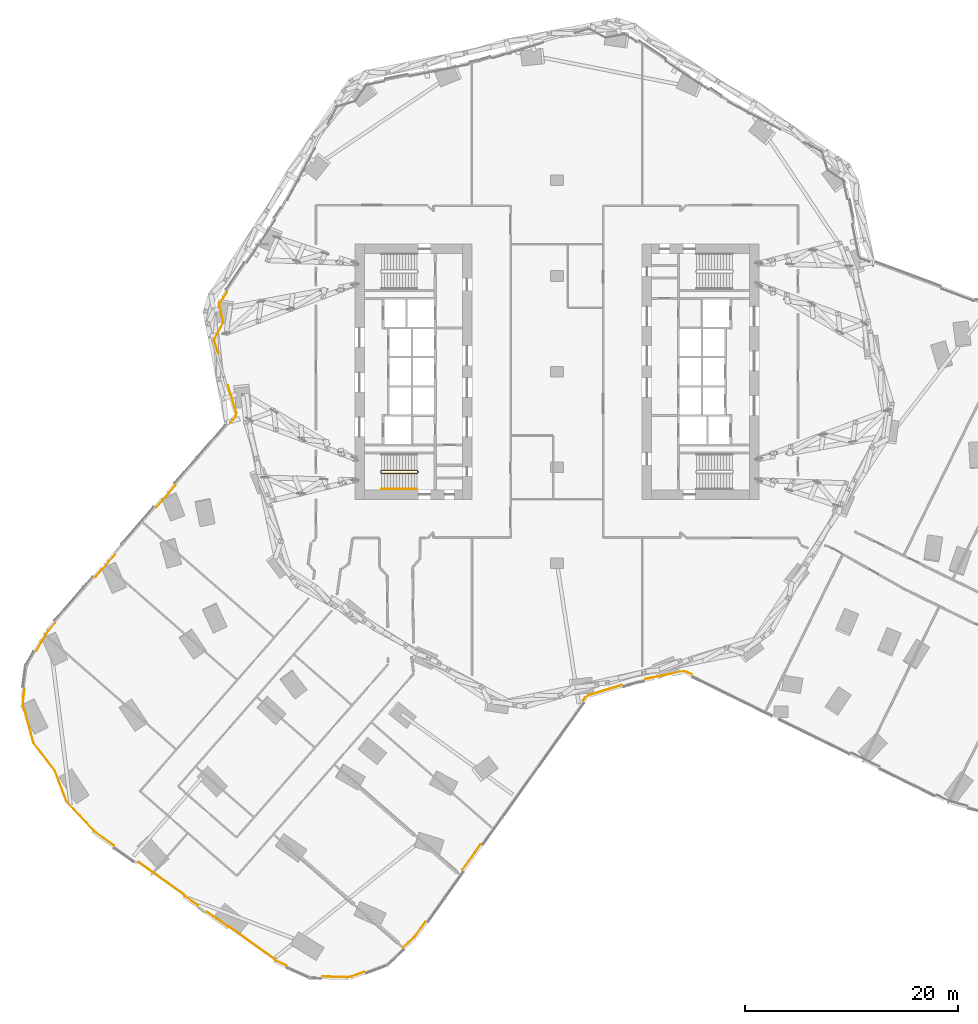
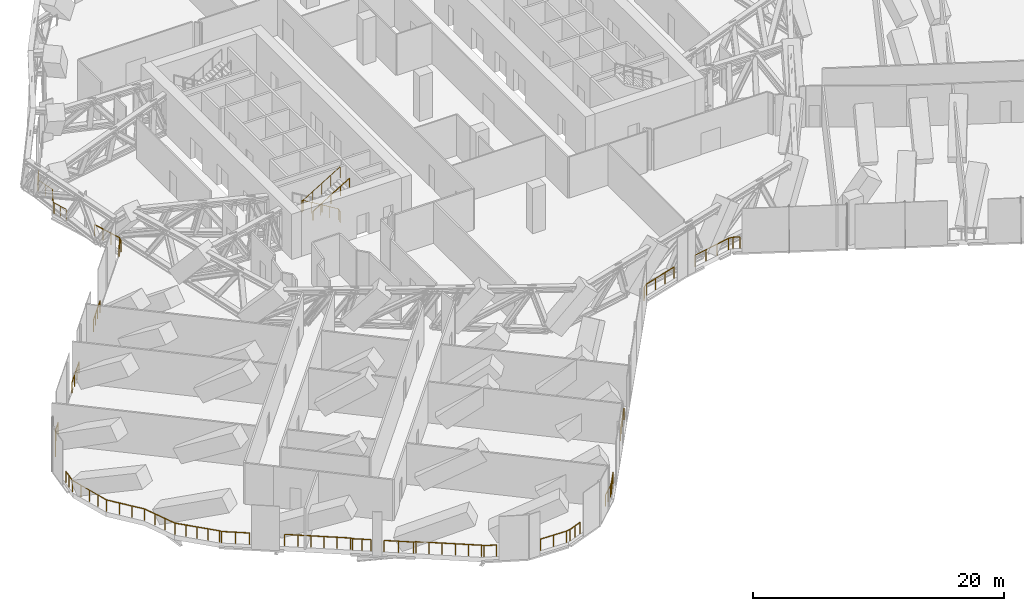
# One storey, part 32 of 34: 17 railings.
"""IFC4 building model written with IfcOpenShell, lengths in metres."""

from ifc_helpers import new_model, si_unit, direction, frame, origin, origin_2d, place, context, subcontext, project, spatial, circle, extrude, material, type_object, element, save


model = new_model("IFC4")

# Units and contexts
model_context = context("Model", 3, precision=1e-05, world=origin(), true_north=direction((0.0, 1.0)))
body_context = subcontext(model_context, "Body", "Model", "MODEL_VIEW")
ifc_project = project(units=[si_unit("LENGTHUNIT", "METRE"), si_unit("AREAUNIT", "SQUARE_METRE"), si_unit("VOLUMEUNIT", "CUBIC_METRE"), si_unit("PLANEANGLEUNIT", "RADIAN"), si_unit("MASSUNIT", "GRAM", prefix="KILO")], contexts=[model_context])

# Site, building, storey
site_placement = place(None, origin())
site = spatial("IfcSite", under=ifc_project, at=site_placement, CompositionType="ELEMENT")
building_placement = place(site_placement, origin())
building = spatial("IfcBuilding", under=site, at=building_placement, Name="Orlundy Tower", CompositionType="ELEMENT")
storey_placement = place(building_placement, frame((0.0, 0.0, 76.300048828125)))
storey = spatial("IfcBuildingStorey", under=building, at=storey_placement, Name="L18", CompositionType="ELEMENT", Elevation=76.300048828125)

# Railings
ifc_material_1 = material(Name="Steel balustrade", Category="steel")
railing_type_1 = type_object("IfcRailingType", Name="Stair Guard 1100", PredefinedType="GUARDRAIL", material=ifc_material_1)
railing_1_placement = place(storey_placement, frame((-13.090087890625, -9.35009765625, 0.0)))
element("IfcRailing", 1, at=railing_1_placement, inside=storey, type_object=railing_type_1, Name="L18 ST-W2 stair guard 1", PredefinedType="GUARDRAIL", context=body_context, shape_type="SweptSolid", body=[
    extrude(circle(Radius=0.02392578125, at=origin_2d()), frame((0.0, 0.0, 1.076171875), z_axis=(0.0, -1.0, 0.0), x_axis=(1.0, 0.0, 0.0)), (0.0, 0.0, 1.0), 0.14990234375),
    extrude(circle(Radius=0.02392578125, at=origin_2d()), frame((0.0, -0.14990234375, 1.076171875), z_axis=(-0.186800498525, 0.749949060256, 0.634572281755), x_axis=(-0.970351222016, -0.241699205484, 0.0)), (0.0, 0.0, 1.0), 0.2666015625),
    extrude(circle(Radius=0.02392578125, at=origin_2d()), frame((-0.0498046875, 0.050048828125, 1.2451171875), z_axis=(-0.855836976705, 0.0, 0.517245656632), x_axis=(0.0, -1.0, 0.0)), (0.0, 0.0, 1.0), 3.926025390625),
    extrude(circle(Radius=0.02392578125, at=origin_2d()), frame((-3.409912109375, 0.050048828125, 3.27587890625), z_axis=(-0.707106781187, -0.707106781187, 0.0), x_axis=(0.707106781187, -0.707106781187, 0.0)), (0.0, 0.0, 1.0), 0.07080078125),
    extrude(circle(Radius=0.02392578125, at=origin_2d()), frame((-3.4599609375, 0.0, 3.27587890625), z_axis=(0.0, -1.0, 0.0), x_axis=(1.0, 0.0, 0.0)), (0.0, 0.0, 1.0), 0.14990234375),
    extrude(circle(Radius=0.02392578125, at=origin_2d()), frame((-3.4599609375, -0.14990234375, 3.27587890625), z_axis=(0.272897288611, -0.272897288611, 0.922525956132), x_axis=(0.707106781187, 0.707106781187, 0.0)), (0.0, 0.0, 1.0), 0.183349609375),
    extrude(circle(Radius=0.02392578125, at=origin_2d()), frame((-3.409912109375, -0.199951171875, 3.4453125), z_axis=(0.855836976705, 0.0, 0.517245656632), x_axis=(0.0, 1.0, 0.0)), (0.0, 0.0, 1.0), 3.926025390625),
    extrude(circle(Radius=0.02099609375, at=origin_2d()), origin(), (0.0, 0.0, 1.0), 1.052001953125),
    extrude(circle(Radius=0.02099609375, at=origin_2d()), frame((0.0, -0.14990234375, 0.0)), (0.0, 0.0, 1.0), 1.052001953125),
    extrude(circle(Radius=0.02099609375, at=origin_2d()), frame((-0.0498046875, 0.050048828125, 0.169189453125)), (0.0, 0.0, 1.0), 1.052001953125),
    extrude(circle(Radius=0.02099609375, at=origin_2d()), frame((-0.889892578125, 0.050048828125, 0.6767578125)), (0.0, 0.0, 1.0), 1.052001953125),
    extrude(circle(Radius=0.02099609375, at=origin_2d()), frame((-1.72998046875, 0.050048828125, 1.1845703125)), (0.0, 0.0, 1.0), 1.052001953125),
    extrude(circle(Radius=0.02099609375, at=origin_2d()), frame((-2.56982421875, 0.050048828125, 1.6923828125)), (0.0, 0.0, 1.0), 1.052001953125),
    extrude(circle(Radius=0.02099609375, at=origin_2d()), frame((-3.409912109375, 0.050048828125, 2.199951171875)), (0.0, 0.0, 1.0), 1.052001953125),
    extrude(circle(Radius=0.02099609375, at=origin_2d()), frame((-3.4599609375, 0.0, 2.199951171875)), (0.0, 0.0, 1.0), 1.052001953125),
    extrude(circle(Radius=0.02099609375, at=origin_2d()), frame((-3.4599609375, -0.14990234375, 2.199951171875)), (0.0, 0.0, 1.0), 1.052001953125),
    extrude(circle(Radius=0.02099609375, at=origin_2d()), frame((-3.409912109375, -0.199951171875, 2.369140625)), (0.0, 0.0, 1.0), 1.052001953125),
    extrude(circle(Radius=0.02099609375, at=origin_2d()), frame((-2.56982421875, -0.199951171875, 2.876953125)), (0.0, 0.0, 1.0), 1.052001953125),
    extrude(circle(Radius=0.02099609375, at=origin_2d()), frame((-1.72998046875, -0.199951171875, 3.384521484375)), (0.0, 0.0, 1.0), 1.052001953125),
    extrude(circle(Radius=0.02099609375, at=origin_2d()), frame((-0.889892578125, -0.199951171875, 3.89208984375)), (0.0, 0.0, 1.0), 1.052001953125),
    extrude(circle(Radius=0.02099609375, at=origin_2d()), frame((-0.0498046875, -0.199951171875, 4.39990234375)), (0.0, 0.0, 1.0), 1.052001953125),
])
ifc_material_2 = material(Name="Steel handrail", Category="steel")
railing_type_2 = type_object("IfcRailingType", Name="Stair Handrail 900", PredefinedType="HANDRAIL", material=ifc_material_2)
railing_2_placement = place(storey_placement, frame((-16.5, -11.050048828125, 2.369140625)))
element("IfcRailing", 2, at=railing_2_placement, inside=storey, type_object=railing_type_2, Name="L18 ST-W2 stair handrail 2", PredefinedType="HANDRAIL", context=body_context, shape_type="SweptSolid", body=[
    extrude(circle(Radius=0.02392578125, at=origin_2d()), frame((0.0, 0.0, 0.8759765625), z_axis=(0.855836976705, 0.0, 0.517245656632), x_axis=(0.0, 1.0, 0.0)), (0.0, 0.0, 1.0), 3.926025390625),
    extrude(circle(Radius=0.02099609375, at=origin_2d()), origin(), (0.0, 0.0, 1.0), 0.851806640625),
    extrude(circle(Radius=0.02099609375, at=origin_2d()), frame((0.840087890625, 0.0, 0.5078125)), (0.0, 0.0, 1.0), 0.851806640625),
    extrude(circle(Radius=0.02099609375, at=origin_2d()), frame((1.68017578125, 0.0, 1.015380859375)), (0.0, 0.0, 1.0), 0.851806640625),
    extrude(circle(Radius=0.02099609375, at=origin_2d()), frame((2.52001953125, 0.0, 1.52294921875)), (0.0, 0.0, 1.0), 0.851806640625),
    extrude(circle(Radius=0.02099609375, at=origin_2d()), frame((3.360107421875, 0.0, 2.03076171875)), (0.0, 0.0, 1.0), 0.851806640625),
])
ifc_material_3 = material(Name="Stainless steel bronze finish", Category="steel")
railing_type_3 = type_object("IfcRailingType", Name="TG1 terrace guard", PredefinedType="GUARDRAIL", material=ifc_material_3)
railing_3_placement = place(storey_placement, frame((-25.4501953125, -55.818115234375, 0.0)))
element("IfcRailing", 3, at=railing_3_placement, inside=storey, type_object=railing_type_3, Name="Guard TG-L18-E00", PredefinedType="GUARDRAIL", context=body_context, shape_type="SweptSolid", body=[
    extrude(circle(Radius=0.02490234375, at=origin_2d()), frame((0.0, 0.0, 1.09521484375), z_axis=(-0.911698671009, 0.410859505525, 0.0), x_axis=(-0.410859505525, -0.911698671009, 0.0)), (0.0, 0.0, 1.0), 1.025634765625),
    extrude(circle(Radius=0.02490234375, at=origin_2d()), frame((-0.93505859375, 0.42138671875, 1.09521484375), z_axis=(-0.669454009791, 0.742853504249, 0.0), x_axis=(-0.742853504249, -0.669454009791, 0.0)), (0.0, 0.0, 1.0), 0.19287109375),
    extrude(circle(Radius=0.02490234375, at=origin_2d()), frame((-1.064208984375, 0.564697265625, 1.09521484375), z_axis=(-0.814129186926, 0.580683792606, 0.0), x_axis=(-0.580683792606, -0.814129186926, 0.0)), (0.0, 0.0, 1.0), 5.25),
    extrude(circle(Radius=0.02490234375, at=origin_2d()), frame((-5.33837890625, 3.61328125, 1.09521484375), z_axis=(-0.971526703603, 0.236930082909, 0.0), x_axis=(-0.236930082909, -0.971526703603, 0.0)), (0.0, 0.0, 1.0), 0.21533203125),
    extrude(circle(Radius=0.02490234375, at=origin_2d()), frame((-5.547607421875, 3.664306640625, 1.09521484375), z_axis=(-0.814178473946, 0.580614685107, 0.0), x_axis=(-0.580614685107, -0.814178473946, 0.0)), (0.0, 0.0, 1.0), 2.334228515625),
    extrude(circle(Radius=0.02001953125, at=origin_2d()), origin(), (0.0, 0.0, 1.0), 1.070068359375),
    extrude(circle(Radius=0.02001953125, at=origin_2d()), frame((-0.93505859375, 0.42138671875, 0.0)), (0.0, 0.0, 1.0), 1.070068359375),
    extrude(circle(Radius=0.02001953125, at=origin_2d()), frame((-1.064208984375, 0.564697265625, 0.0)), (0.0, 0.0, 1.0), 1.070068359375),
    extrude(circle(Radius=0.02001953125, at=origin_2d()), frame((-1.9189453125, 1.17431640625, 0.0)), (0.0, 0.0, 1.0), 1.070068359375),
    extrude(circle(Radius=0.02001953125, at=origin_2d()), frame((-2.77392578125, 1.7841796875, 0.0)), (0.0, 0.0, 1.0), 1.070068359375),
    extrude(circle(Radius=0.02001953125, at=origin_2d()), frame((-3.628662109375, 2.393798828125, 0.0)), (0.0, 0.0, 1.0), 1.070068359375),
    extrude(circle(Radius=0.02001953125, at=origin_2d()), frame((-4.483642578125, 3.003662109375, 0.0)), (0.0, 0.0, 1.0), 1.070068359375),
    extrude(circle(Radius=0.02001953125, at=origin_2d()), frame((-5.33837890625, 3.61328125, 0.0)), (0.0, 0.0, 1.0), 1.070068359375),
    extrude(circle(Radius=0.02001953125, at=origin_2d()), frame((-5.547607421875, 3.664306640625, 0.0)), (0.0, 0.0, 1.0), 1.070068359375),
    extrude(circle(Radius=0.02001953125, at=origin_2d()), frame((-6.497802734375, 4.341796875, 0.0)), (0.0, 0.0, 1.0), 1.070068359375),
    extrude(circle(Radius=0.02001953125, at=origin_2d()), frame((-7.447998046875, 5.01953125, 0.0)), (0.0, 0.0, 1.0), 1.070068359375),
])
railing_4_placement = place(storey_placement, frame((-33.76171875, -50.1826171875, 0.0)))
element("IfcRailing", 4, at=railing_4_placement, inside=storey, type_object=railing_type_3, Name="Guard TG-L18-E04", PredefinedType="GUARDRAIL", context=body_context, shape_type="SweptSolid", body=[
    extrude(circle(Radius=0.02490234375, at=origin_2d()), frame((0.0, 0.0, 1.09521484375), z_axis=(-0.814107424555, 0.580714302635, 0.0), x_axis=(-0.580714302635, -0.814107424555, 0.0)), (0.0, 0.0, 1.0), 1.455078125),
    extrude(circle(Radius=0.02490234375, at=origin_2d()), frame((-1.1845703125, 0.844970703125, 1.09521484375), z_axis=(-0.540242307529, 0.841509506277, 0.0), x_axis=(-0.841509506277, -0.540242307529, 0.0)), (0.0, 0.0, 1.0), 0.215576171875),
    extrude(circle(Radius=0.02490234375, at=origin_2d()), frame((-1.301025390625, 1.0263671875, 1.09521484375), z_axis=(-0.814166849744, 0.58063098503, 0.0), x_axis=(-0.58063098503, -0.814166849744, 0.0)), (0.0, 0.0, 1.0), 5.25),
    extrude(circle(Radius=0.02001953125, at=origin_2d()), origin(), (0.0, 0.0, 1.0), 1.070068359375),
    extrude(circle(Radius=0.02001953125, at=origin_2d()), frame((-0.59228515625, 0.42236328125, 0.0)), (0.0, 0.0, 1.0), 1.070068359375),
    extrude(circle(Radius=0.02001953125, at=origin_2d()), frame((-1.1845703125, 0.844970703125, 0.0)), (0.0, 0.0, 1.0), 1.070068359375),
    extrude(circle(Radius=0.02001953125, at=origin_2d()), frame((-1.301025390625, 1.0263671875, 0.0)), (0.0, 0.0, 1.0), 1.070068359375),
    extrude(circle(Radius=0.02001953125, at=origin_2d()), frame((-2.156005859375, 1.635986328125, 0.0)), (0.0, 0.0, 1.0), 1.070068359375),
    extrude(circle(Radius=0.02001953125, at=origin_2d()), frame((-3.0107421875, 2.24560546875, 0.0)), (0.0, 0.0, 1.0), 1.070068359375),
    extrude(circle(Radius=0.02001953125, at=origin_2d()), frame((-3.86572265625, 2.85546875, 0.0)), (0.0, 0.0, 1.0), 1.070068359375),
    extrude(circle(Radius=0.02001953125, at=origin_2d()), frame((-4.720458984375, 3.465087890625, 0.0)), (0.0, 0.0, 1.0), 1.070068359375),
    extrude(circle(Radius=0.02001953125, at=origin_2d()), frame((-5.575439453125, 4.07470703125, 0.0)), (0.0, 0.0, 1.0), 1.070068359375),
])
railing_5_placement = place(storey_placement, frame((-46.1171875, -40.39208984375, 0.0)))
element("IfcRailing", 5, at=railing_5_placement, inside=storey, type_object=railing_type_3, Name="Guard TG-L18-E06", PredefinedType="GUARDRAIL", context=body_context, shape_type="SweptSolid", body=[
    extrude(circle(Radius=0.02490234375, at=origin_2d()), frame((0.0, 0.0, 1.09521484375), z_axis=(-0.355698633439, 0.934600707345, 0.0), x_axis=(-0.934600707345, -0.355698633439, 0.0)), (0.0, 0.0, 1.0), 3.114013671875),
    extrude(circle(Radius=0.02490234375, at=origin_2d()), frame((-1.107666015625, 2.910400390625, 1.09521484375), z_axis=(-0.609894576836, 0.792482558259, 0.0), x_axis=(-0.792482558259, -0.609894576836, 0.0)), (0.0, 0.0, 1.0), 3.273193359375),
    extrude(circle(Radius=0.02001953125, at=origin_2d()), origin(), (0.0, 0.0, 1.0), 1.070068359375),
    extrude(circle(Radius=0.02001953125, at=origin_2d()), frame((-0.369140625, 0.97021484375, 0.0)), (0.0, 0.0, 1.0), 1.070068359375),
    extrude(circle(Radius=0.02001953125, at=origin_2d()), frame((-0.738525390625, 1.940185546875, 0.0)), (0.0, 0.0, 1.0), 1.070068359375),
    extrude(circle(Radius=0.02001953125, at=origin_2d()), frame((-1.107666015625, 2.910400390625, 0.0)), (0.0, 0.0, 1.0), 1.070068359375),
    extrude(circle(Radius=0.02001953125, at=origin_2d()), frame((-1.773193359375, 3.775146484375, 0.0)), (0.0, 0.0, 1.0), 1.070068359375),
    extrude(circle(Radius=0.02001953125, at=origin_2d()), frame((-2.4384765625, 4.6396484375, 0.0)), (0.0, 0.0, 1.0), 1.070068359375),
    extrude(circle(Radius=0.02001953125, at=origin_2d()), frame((-3.10400390625, 5.50439453125, 0.0)), (0.0, 0.0, 1.0), 1.070068359375),
])
railing_6_placement = place(storey_placement, frame((-31.84423828125, 1.68603515625, 0.0)))
element("IfcRailing", 6, at=railing_6_placement, inside=storey, type_object=railing_type_3, Name="Guard TG-L18-E08", PredefinedType="GUARDRAIL", context=body_context, shape_type="SweptSolid", body=[
    extrude(circle(Radius=0.02490234375, at=origin_2d()), frame((0.0, 0.0, 1.09521484375), z_axis=(-0.292413653769, 0.956291929846, 0.0), x_axis=(-0.956291929846, -0.292413653769, 0.0)), (0.0, 0.0, 1.0), 1.30322265625),
    extrude(circle(Radius=0.02490234375, at=origin_2d()), frame((-0.381103515625, 1.246337890625, 1.09521484375), z_axis=(0.075035392289, 0.997180871208, 0.0), x_axis=(-0.997180871208, 0.075035392289, 0.0)), (0.0, 0.0, 1.0), 0.12353515625),
    extrude(circle(Radius=0.02490234375, at=origin_2d()), frame((-0.371826171875, 1.36962890625, 1.09521484375), z_axis=(0.469361166134, 0.883006282948, 0.0), x_axis=(-0.883006282948, 0.469361166134, 0.0)), (0.0, 0.0, 1.0), 1.70458984375),
    extrude(circle(Radius=0.02490234375, at=origin_2d()), frame((0.42822265625, 2.874755859375, 1.09521484375), z_axis=(0.145232665002, 0.989397530327, 0.0), x_axis=(-0.989397530327, 0.145232665002, 0.0)), (0.0, 0.0, 1.0), 0.080810546875),
    extrude(circle(Radius=0.02490234375, at=origin_2d()), frame((0.43994140625, 2.95458984375, 1.09521484375), z_axis=(-0.196446545419, 0.980514535738, 0.0), x_axis=(-0.980514535738, -0.196446545419, 0.0)), (0.0, 0.0, 1.0), 1.705078125),
    extrude(circle(Radius=0.02490234375, at=origin_2d()), frame((0.10498046875, 4.62646484375, 1.09521484375), z_axis=(0.213167075217, 0.97701576141, 0.0), x_axis=(-0.97701576141, 0.213167075217, 0.0)), (0.0, 0.0, 1.0), 0.123779296875),
    extrude(circle(Radius=0.02490234375, at=origin_2d()), frame((0.13134765625, 4.747314453125, 1.09521484375), z_axis=(0.554478414726, 0.832198105984, 0.0), x_axis=(-0.832198105984, 0.554478414726, 0.0)), (0.0, 0.0, 1.0), 1.270263671875),
    extrude(circle(Radius=0.02001953125, at=origin_2d()), origin(), (0.0, 0.0, 1.0), 1.070068359375),
    extrude(circle(Radius=0.02001953125, at=origin_2d()), frame((-0.1904296875, 0.623046875, 0.0)), (0.0, 0.0, 1.0), 1.070068359375),
    extrude(circle(Radius=0.02001953125, at=origin_2d()), frame((-0.381103515625, 1.246337890625, 0.0)), (0.0, 0.0, 1.0), 1.070068359375),
    extrude(circle(Radius=0.02001953125, at=origin_2d()), frame((-0.371826171875, 1.36962890625, 0.0)), (0.0, 0.0, 1.0), 1.070068359375),
    extrude(circle(Radius=0.02001953125, at=origin_2d()), frame((0.0283203125, 2.1220703125, 0.0)), (0.0, 0.0, 1.0), 1.070068359375),
    extrude(circle(Radius=0.02001953125, at=origin_2d()), frame((0.42822265625, 2.874755859375, 0.0)), (0.0, 0.0, 1.0), 1.070068359375),
    extrude(circle(Radius=0.02001953125, at=origin_2d()), frame((0.43994140625, 2.95458984375, 0.0)), (0.0, 0.0, 1.0), 1.070068359375),
    extrude(circle(Radius=0.02001953125, at=origin_2d()), frame((0.2724609375, 3.79052734375, 0.0)), (0.0, 0.0, 1.0), 1.070068359375),
    extrude(circle(Radius=0.02001953125, at=origin_2d()), frame((0.10498046875, 4.62646484375, 0.0)), (0.0, 0.0, 1.0), 1.070068359375),
    extrude(circle(Radius=0.02001953125, at=origin_2d()), frame((0.13134765625, 4.747314453125, 0.0)), (0.0, 0.0, 1.0), 1.070068359375),
    extrude(circle(Radius=0.02001953125, at=origin_2d()), frame((0.4833984375, 5.27587890625, 0.0)), (0.0, 0.0, 1.0), 1.070068359375),
    extrude(circle(Radius=0.02001953125, at=origin_2d()), frame((0.835693359375, 5.804443359375, 0.0)), (0.0, 0.0, 1.0), 1.070068359375),
])
railing_7_placement = place(storey_placement, frame((-41.654052734375, -44.5537109375, 0.0)))
element("IfcRailing", 7, at=railing_7_placement, inside=storey, type_object=railing_type_3, Name="Guard TG-L18-E010", PredefinedType="GUARDRAIL", context=body_context, shape_type="SweptSolid", body=[
    extrude(circle(Radius=0.02490234375, at=origin_2d()), frame((0.0, 0.0, 1.09521484375), z_axis=(-0.814076199916, 0.580758074184, 0.0), x_axis=(-0.580758074184, -0.814076199916, 0.0)), (0.0, 0.0, 1.0), 2.26123046875),
    extrude(circle(Radius=0.02490234375, at=origin_2d()), frame((-1.8408203125, 1.313232421875, 1.09521484375), z_axis=(-0.511328093685, 0.859385583198, 0.0), x_axis=(-0.859385583198, -0.511328093685, 0.0)), (0.0, 0.0, 1.0), 0.19287109375),
    extrude(circle(Radius=0.02490234375, at=origin_2d()), frame((-1.939453125, 1.47900390625, 1.09521484375), z_axis=(-0.685201337759, 0.728353709906, 0.0), x_axis=(-0.728353709906, -0.685201337759, 0.0)), (0.0, 0.0, 1.0), 3.68310546875),
    extrude(circle(Radius=0.02001953125, at=origin_2d()), origin(), (0.0, 0.0, 1.0), 1.070068359375),
    extrude(circle(Radius=0.02001953125, at=origin_2d()), frame((-0.92041015625, 0.65673828125, 0.0)), (0.0, 0.0, 1.0), 1.070068359375),
    extrude(circle(Radius=0.02001953125, at=origin_2d()), frame((-1.8408203125, 1.313232421875, 0.0)), (0.0, 0.0, 1.0), 1.070068359375),
    extrude(circle(Radius=0.02001953125, at=origin_2d()), frame((-1.939453125, 1.47900390625, 0.0)), (0.0, 0.0, 1.0), 1.070068359375),
    extrude(circle(Radius=0.02001953125, at=origin_2d()), frame((-2.5703125, 2.149658203125, 0.0)), (0.0, 0.0, 1.0), 1.070068359375),
    extrude(circle(Radius=0.02001953125, at=origin_2d()), frame((-3.201171875, 2.8203125, 0.0)), (0.0, 0.0, 1.0), 1.070068359375),
    extrude(circle(Radius=0.02001953125, at=origin_2d()), frame((-3.832275390625, 3.490966796875, 0.0)), (0.0, 0.0, 1.0), 1.070068359375),
    extrude(circle(Radius=0.02001953125, at=origin_2d()), frame((-4.463134765625, 4.16162109375, 0.0)), (0.0, 0.0, 1.0), 1.070068359375),
])
railing_8_placement = place(storey_placement, frame((-49.22119140625, -34.8876953125, 0.0)))
element("IfcRailing", 8, at=railing_8_placement, inside=storey, type_object=railing_type_3, Name="Guard TG-L18-E015", PredefinedType="GUARDRAIL", context=body_context, shape_type="SweptSolid", body=[
    extrude(circle(Radius=0.02490234375, at=origin_2d()), frame((0.0, 0.0, 1.09521484375), z_axis=(-0.261991106462, 0.965070287665, 0.0), x_axis=(-0.965070287665, -0.261991106462, 0.0)), (0.0, 0.0, 1.0), 3.852294921875),
    extrude(circle(Radius=0.02490234375, at=origin_2d()), frame((-1.00927734375, 3.7177734375, 1.09521484375), z_axis=(0.129285522944, 0.991607408987, 0.0), x_axis=(-0.991607408987, 0.129285522944, 0.0)), (0.0, 0.0, 1.0), 1.361572265625),
    extrude(circle(Radius=0.02001953125, at=origin_2d()), origin(), (0.0, 0.0, 1.0), 1.070068359375),
    extrude(circle(Radius=0.02001953125, at=origin_2d()), frame((-0.25244140625, 0.929443359375, 0.0)), (0.0, 0.0, 1.0), 1.070068359375),
    extrude(circle(Radius=0.02001953125, at=origin_2d()), frame((-0.504638671875, 1.85888671875, 0.0)), (0.0, 0.0, 1.0), 1.070068359375),
    extrude(circle(Radius=0.02001953125, at=origin_2d()), frame((-0.7568359375, 2.788330078125, 0.0)), (0.0, 0.0, 1.0), 1.070068359375),
    extrude(circle(Radius=0.02001953125, at=origin_2d()), frame((-1.00927734375, 3.7177734375, 0.0)), (0.0, 0.0, 1.0), 1.070068359375),
    extrude(circle(Radius=0.02001953125, at=origin_2d()), frame((-0.92138671875, 4.392822265625, 0.0)), (0.0, 0.0, 1.0), 1.070068359375),
    extrude(circle(Radius=0.02001953125, at=origin_2d()), frame((-0.833251953125, 5.06787109375, 0.0)), (0.0, 0.0, 1.0), 1.070068359375),
])
railing_9_placement = place(storey_placement, frame((12.699951171875, -28.47900390625, 0.0)))
element("IfcRailing", 9, at=railing_9_placement, inside=storey, type_object=railing_type_3, Name="Guard TG-L18-E020", PredefinedType="GUARDRAIL", context=body_context, shape_type="SweptSolid", body=[
    extrude(circle(Radius=0.02490234375, at=origin_2d()), frame((0.0, 0.0, 1.09521484375), z_axis=(-0.897472902324, 0.441069597223, 0.0), x_axis=(-0.441069597223, -0.897472902324, 0.0)), (0.0, 0.0, 1.0), 0.541259765625),
    extrude(circle(Radius=0.02490234375, at=origin_2d()), frame((-0.48583984375, 0.23876953125, 1.09521484375), z_axis=(-0.991623953174, 0.129158567242, 0.0), x_axis=(-0.129158567242, -0.991623953174, 0.0)), (0.0, 0.0, 1.0), 0.404541015625),
    extrude(circle(Radius=0.02490234375, at=origin_2d()), frame((-0.886962890625, 0.291015625, 1.09521484375), z_axis=(-0.980514897184, -0.196444741339, 0.0), x_axis=(0.196444741339, -0.980514897184, 0.0)), (0.0, 0.0, 1.0), 3.57177734375),
    extrude(circle(Radius=0.02001953125, at=origin_2d()), origin(), (0.0, 0.0, 1.0), 1.070068359375),
    extrude(circle(Radius=0.02001953125, at=origin_2d()), frame((-0.48583984375, 0.23876953125, 0.0)), (0.0, 0.0, 1.0), 1.070068359375),
    extrude(circle(Radius=0.02001953125, at=origin_2d()), frame((-0.886962890625, 0.291015625, 0.0)), (0.0, 0.0, 1.0), 1.070068359375),
    extrude(circle(Radius=0.02001953125, at=origin_2d()), frame((-2.054443359375, 0.05712890625, 0.0)), (0.0, 0.0, 1.0), 1.070068359375),
    extrude(circle(Radius=0.02001953125, at=origin_2d()), frame((-3.2216796875, -0.1767578125, 0.0)), (0.0, 0.0, 1.0), 1.070068359375),
    extrude(circle(Radius=0.02001953125, at=origin_2d()), frame((-4.38916015625, -0.41064453125, 0.0)), (0.0, 0.0, 1.0), 1.070068359375),
])
railing_10_placement = place(storey_placement, frame((-18.144775390625, -56.430908203125, 0.0)))
element("IfcRailing", 10, at=railing_10_placement, inside=storey, type_object=railing_type_3, Name="Guard TG-L18-E023", PredefinedType="GUARDRAIL", context=body_context, shape_type="SweptSolid", body=[
    extrude(circle(Radius=0.02490234375, at=origin_2d()), frame((0.0, 0.0, 1.09521484375), z_axis=(-0.935125521697, -0.354316607952, 0.0), x_axis=(0.354316607952, -0.935125521697, 0.0)), (0.0, 0.0, 1.0), 1.264404296875),
    extrude(circle(Radius=0.02490234375, at=origin_2d()), frame((-1.182373046875, -0.447998046875, 1.09521484375), z_axis=(-0.986358870758, -0.164609167656, 0.0), x_axis=(0.164609167656, -0.986358870758, 0.0)), (0.0, 0.0, 1.0), 0.376708984375),
    extrude(circle(Radius=0.02490234375, at=origin_2d()), frame((-1.553955078125, -0.510009765625, 1.09521484375), z_axis=(-0.999534370657, 0.030512978808, 0.0), x_axis=(-0.030512978808, -0.999534370657, 0.0)), (0.0, 0.0, 1.0), 2.34423828125),
    extrude(circle(Radius=0.02001953125, at=origin_2d()), origin(), (0.0, 0.0, 1.0), 1.070068359375),
    extrude(circle(Radius=0.02001953125, at=origin_2d()), frame((-0.59130859375, -0.22412109375, 0.0)), (0.0, 0.0, 1.0), 1.070068359375),
    extrude(circle(Radius=0.02001953125, at=origin_2d()), frame((-1.182373046875, -0.447998046875, 0.0)), (0.0, 0.0, 1.0), 1.070068359375),
    extrude(circle(Radius=0.02001953125, at=origin_2d()), frame((-1.553955078125, -0.510009765625, 0.0)), (0.0, 0.0, 1.0), 1.070068359375),
    extrude(circle(Radius=0.02001953125, at=origin_2d()), frame((-2.7255859375, -0.47412109375, 0.0)), (0.0, 0.0, 1.0), 1.070068359375),
    extrude(circle(Radius=0.02001953125, at=origin_2d()), frame((-3.897216796875, -0.4384765625, 0.0)), (0.0, 0.0, 1.0), 1.070068359375),
])
railing_11_placement = place(storey_placement, frame((6.062255859375, -29.474853515625, 0.0)))
element("IfcRailing", 11, at=railing_11_placement, inside=storey, type_object=railing_type_3, Name="Guard TG-L18-E024", PredefinedType="GUARDRAIL", context=body_context, shape_type="SweptSolid", body=[
    extrude(circle(Radius=0.02490234375, at=origin_2d()), frame((0.0, 0.0, 1.09521484375), z_axis=(-0.956282143562, -0.292445656326, 0.0), x_axis=(0.292445656326, -0.956282143562, 0.0)), (0.0, 0.0, 1.0), 3.222412109375),
    extrude(circle(Radius=0.02490234375, at=origin_2d()), frame((-3.08154296875, -0.9423828125, 1.09521484375), z_axis=(-0.811648785462, -0.584145742994, 0.0), x_axis=(0.584145742994, -0.811648785462, 0.0)), (0.0, 0.0, 1.0), 0.404541015625),
    extrude(circle(Radius=0.02490234375, at=origin_2d()), frame((-3.409912109375, -1.1787109375, 1.09521484375), z_axis=(-0.580834618109, -0.814021588415, 0.0), x_axis=(0.814021588415, -0.580834618109, 0.0)), (0.0, 0.0, 1.0), 0.343505859375),
    extrude(circle(Radius=0.02001953125, at=origin_2d()), origin(), (0.0, 0.0, 1.0), 1.070068359375),
    extrude(circle(Radius=0.02001953125, at=origin_2d()), frame((-1.027099609375, -0.314208984375, 0.0)), (0.0, 0.0, 1.0), 1.070068359375),
    extrude(circle(Radius=0.02001953125, at=origin_2d()), frame((-2.054443359375, -0.628173828125, 0.0)), (0.0, 0.0, 1.0), 1.070068359375),
    extrude(circle(Radius=0.02001953125, at=origin_2d()), frame((-3.08154296875, -0.9423828125, 0.0)), (0.0, 0.0, 1.0), 1.070068359375),
    extrude(circle(Radius=0.02001953125, at=origin_2d()), frame((-3.409912109375, -1.1787109375, 0.0)), (0.0, 0.0, 1.0), 1.070068359375),
    extrude(circle(Radius=0.02001953125, at=origin_2d()), frame((-3.609375, -1.458251953125, 0.0)), (0.0, 0.0, 1.0), 1.070068359375),
])
railing_12_placement = place(storey_placement, frame((-30.680419921875, -4.764892578125, 0.0)))
element("IfcRailing", 12, at=railing_12_placement, inside=storey, type_object=railing_type_3, Name="Guard TG-L18-E025", PredefinedType="GUARDRAIL", context=body_context, shape_type="SweptSolid", body=[
    extrude(circle(Radius=0.02490234375, at=origin_2d()), frame((0.0, 0.0, 1.09521484375), z_axis=(0.658152876401, 0.752884314676, 0.0), x_axis=(-0.752884314676, 0.658152876401, 0.0)), (0.0, 0.0, 1.0), 0.68798828125),
    extrude(circle(Radius=0.02490234375, at=origin_2d()), frame((0.452880859375, 0.51806640625, 1.09521484375), z_axis=(0.209271573047, 0.977857560545, 0.0), x_axis=(-0.977857560545, 0.209271573047, 0.0)), (0.0, 0.0, 1.0), 0.388427734375),
    extrude(circle(Radius=0.02490234375, at=origin_2d()), frame((0.5341796875, 0.89794921875, 1.09521484375), z_axis=(-0.292458431467, 0.956278236636, 0.0), x_axis=(-0.956278236636, -0.292458431467, 0.0)), (0.0, 0.0, 1.0), 2.68896484375),
    extrude(circle(Radius=0.02001953125, at=origin_2d()), origin(), (0.0, 0.0, 1.0), 1.070068359375),
    extrude(circle(Radius=0.02001953125, at=origin_2d()), frame((0.452880859375, 0.51806640625, 0.0)), (0.0, 0.0, 1.0), 1.070068359375),
    extrude(circle(Radius=0.02001953125, at=origin_2d()), frame((0.5341796875, 0.89794921875, 0.0)), (0.0, 0.0, 1.0), 1.070068359375),
    extrude(circle(Radius=0.02001953125, at=origin_2d()), frame((0.27197265625, 1.755126953125, 0.0)), (0.0, 0.0, 1.0), 1.070068359375),
    extrude(circle(Radius=0.02001953125, at=origin_2d()), frame((0.010009765625, 2.612060546875, 0.0)), (0.0, 0.0, 1.0), 1.070068359375),
    extrude(circle(Radius=0.02001953125, at=origin_2d()), frame((-0.252197265625, 3.46923828125, 0.0)), (0.0, 0.0, 1.0), 1.070068359375),
])
railing_13_placement = place(storey_placement, frame((-12.38330078125, -51.732421875, 0.0)))
element("IfcRailing", 13, at=railing_13_placement, inside=storey, type_object=railing_type_3, Name="Guard TG-L18-E029", PredefinedType="GUARDRAIL", context=body_context, shape_type="SweptSolid", body=[
    extrude(circle(Radius=0.02490234375, at=origin_2d()), frame((0.0, 0.0, 1.09521484375), z_axis=(-0.580758634646, -0.814075800085, 0.0), x_axis=(0.814075800085, -0.580758634646, 0.0)), (0.0, 0.0, 1.0), 1.4931640625),
    extrude(circle(Radius=0.02490234375, at=origin_2d()), frame((-0.8671875, -1.215576171875, 1.09521484375), z_axis=(-0.657618194567, -0.753351385593, 0.0), x_axis=(0.753351385593, -0.657618194567, 0.0)), (0.0, 0.0, 1.0), 0.39013671875),
    extrude(circle(Radius=0.02490234375, at=origin_2d()), frame((-1.123779296875, -1.509521484375, 1.09521484375), z_axis=(-0.72828268766, -0.68527682498, 0.0), x_axis=(0.68527682498, -0.72828268766, 0.0)), (0.0, 0.0, 1.0), 1.300048828125),
    extrude(circle(Radius=0.02001953125, at=origin_2d()), origin(), (0.0, 0.0, 1.0), 1.070068359375),
    extrude(circle(Radius=0.02001953125, at=origin_2d()), frame((-0.43359375, -0.60791015625, 0.0)), (0.0, 0.0, 1.0), 1.070068359375),
    extrude(circle(Radius=0.02001953125, at=origin_2d()), frame((-0.8671875, -1.215576171875, 0.0)), (0.0, 0.0, 1.0), 1.070068359375),
    extrude(circle(Radius=0.02001953125, at=origin_2d()), frame((-1.123779296875, -1.509521484375, 0.0)), (0.0, 0.0, 1.0), 1.070068359375),
    extrude(circle(Radius=0.02001953125, at=origin_2d()), frame((-1.59716796875, -1.955078125, 0.0)), (0.0, 0.0, 1.0), 1.070068359375),
    extrude(circle(Radius=0.02001953125, at=origin_2d()), frame((-2.070556640625, -2.400390625, 0.0)), (0.0, 0.0, 1.0), 1.070068359375),
])
railing_14_placement = place(storey_placement, frame((-48.962158203125, -26.281982421875, 0.0)))
element("IfcRailing", 14, at=railing_14_placement, inside=storey, type_object=railing_type_3, Name="Guard TG-L18-E030", PredefinedType="GUARDRAIL", context=body_context, shape_type="SweptSolid", body=[
    extrude(circle(Radius=0.02490234375, at=origin_2d()), frame((0.0, 0.0, 1.09521484375), z_axis=(0.498594313221, 0.866835457756, 0.0), x_axis=(-0.866835457756, 0.498594313221, 0.0)), (0.0, 0.0, 1.0), 1.861572265625),
    extrude(circle(Radius=0.02490234375, at=origin_2d()), frame((0.92822265625, 1.61376953125, 1.09521484375), z_axis=(0.581415786303, 0.81360659009, 0.0), x_axis=(-0.81360659009, 0.581415786303, 0.0)), (0.0, 0.0, 1.0), 0.39013671875),
    extrude(circle(Radius=0.02490234375, at=origin_2d()), frame((1.155029296875, 1.93115234375, 1.09521484375), z_axis=(0.65818628727, 0.752855106411, 0.0), x_axis=(-0.752855106411, 0.65818628727, 0.0)), (0.0, 0.0, 1.0), 0.92333984375),
    extrude(circle(Radius=0.02001953125, at=origin_2d()), origin(), (0.0, 0.0, 1.0), 1.070068359375),
    extrude(circle(Radius=0.02001953125, at=origin_2d()), frame((0.464111328125, 0.806884765625, 0.0)), (0.0, 0.0, 1.0), 1.070068359375),
    extrude(circle(Radius=0.02001953125, at=origin_2d()), frame((0.92822265625, 1.61376953125, 0.0)), (0.0, 0.0, 1.0), 1.070068359375),
    extrude(circle(Radius=0.02001953125, at=origin_2d()), frame((1.155029296875, 1.93115234375, 0.0)), (0.0, 0.0, 1.0), 1.070068359375),
    extrude(circle(Radius=0.02001953125, at=origin_2d()), frame((1.7626953125, 2.626220703125, 0.0)), (0.0, 0.0, 1.0), 1.070068359375),
])
railing_15_placement = place(storey_placement, frame((-7.19921875, -44.46435546875, 0.0)))
element("IfcRailing", 15, at=railing_15_placement, inside=storey, type_object=railing_type_3, Name="Guard TG-L18-E033", PredefinedType="GUARDRAIL", context=body_context, shape_type="SweptSolid", body=[
    extrude(circle(Radius=0.02490234375, at=origin_2d()), frame((0.0, 0.0, 1.09521484375), z_axis=(-0.580631923474, -0.814166180483, 0.0), x_axis=(0.814166180483, -0.580631923474, 0.0)), (0.0, 0.0, 1.0), 2.895751953125),
    extrude(circle(Radius=0.02001953125, at=origin_2d()), origin(), (0.0, 0.0, 1.0), 1.070068359375),
    extrude(circle(Radius=0.02001953125, at=origin_2d()), frame((-0.560546875, -0.785888671875, 0.0)), (0.0, 0.0, 1.0), 1.070068359375),
    extrude(circle(Radius=0.02001953125, at=origin_2d()), frame((-1.120849609375, -1.57177734375, 0.0)), (0.0, 0.0, 1.0), 1.070068359375),
    extrude(circle(Radius=0.02001953125, at=origin_2d()), frame((-1.681396484375, -2.357666015625, 0.0)), (0.0, 0.0, 1.0), 1.070068359375),
])
railing_16_placement = place(storey_placement, frame((-43.396728515625, -19.30712890625, 0.0)))
element("IfcRailing", 16, at=railing_16_placement, inside=storey, type_object=railing_type_3, Name="Guard TG-L18-E034", PredefinedType="GUARDRAIL", context=body_context, shape_type="SweptSolid", body=[
    extrude(circle(Radius=0.02490234375, at=origin_2d()), frame((0.0, 0.0, 1.09521484375), z_axis=(0.658229617716, 0.752817222413, 0.0), x_axis=(-0.752817222413, 0.658229617716, 0.0)), (0.0, 0.0, 1.0), 2.828857421875),
    extrude(circle(Radius=0.02001953125, at=origin_2d()), origin(), (0.0, 0.0, 1.0), 1.070068359375),
    extrude(circle(Radius=0.02001953125, at=origin_2d()), frame((0.62060546875, 0.7099609375, 0.0)), (0.0, 0.0, 1.0), 1.070068359375),
    extrude(circle(Radius=0.02001953125, at=origin_2d()), frame((1.241455078125, 1.419677734375, 0.0)), (0.0, 0.0, 1.0), 1.070068359375),
    extrude(circle(Radius=0.02001953125, at=origin_2d()), frame((1.862060546875, 2.129638671875, 0.0)), (0.0, 0.0, 1.0), 1.070068359375),
])
railing_17_placement = place(storey_placement, frame((-37.67724609375, -12.766357421875, 0.0)))
element("IfcRailing", 17, at=railing_17_placement, inside=storey, type_object=railing_type_3, Name="Guard TG-L18-E035", PredefinedType="GUARDRAIL", context=body_context, shape_type="SweptSolid", body=[
    extrude(circle(Radius=0.02490234375, at=origin_2d()), frame((0.0, 0.0, 1.09521484375), z_axis=(0.658238021732, 0.752809874235, 0.0), x_axis=(-0.752809874235, 0.658238021732, 0.0)), (0.0, 0.0, 1.0), 2.7236328125),
    extrude(circle(Radius=0.02001953125, at=origin_2d()), origin(), (0.0, 0.0, 1.0), 1.070068359375),
    extrude(circle(Radius=0.02001953125, at=origin_2d()), frame((0.59765625, 0.683349609375, 0.0)), (0.0, 0.0, 1.0), 1.070068359375),
    extrude(circle(Radius=0.02001953125, at=origin_2d()), frame((1.195068359375, 1.366943359375, 0.0)), (0.0, 0.0, 1.0), 1.070068359375),
    extrude(circle(Radius=0.02001953125, at=origin_2d()), frame((1.792724609375, 2.05029296875, 0.0)), (0.0, 0.0, 1.0), 1.070068359375),
])

save(model, "model.ifc")
